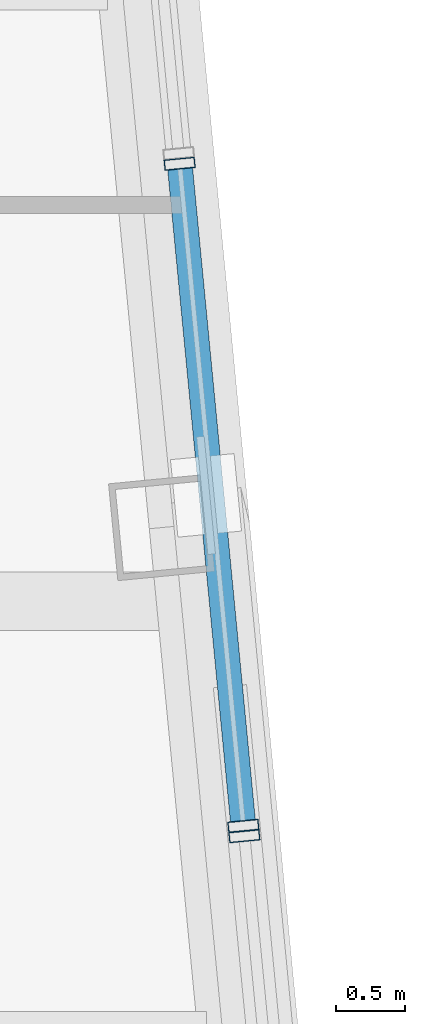
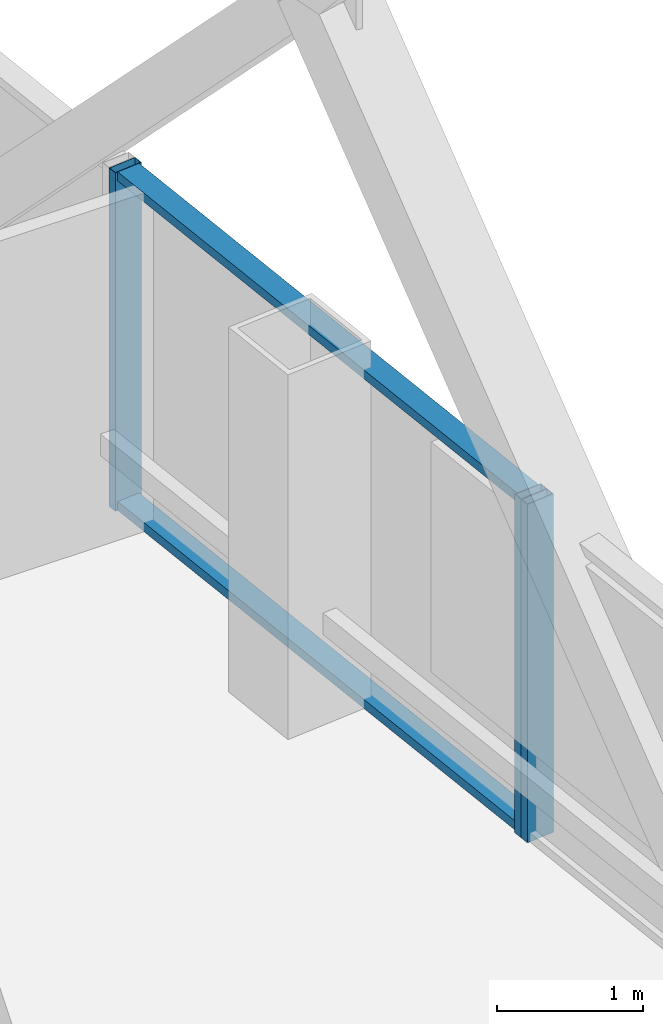
# One storey, part 17 of 34: 5 members, 2 elements without a shape of their own.
"""IFC4 building model written with IfcOpenShell, lengths in metres."""

from ifc_helpers import new_model, si_unit, direction, frame, origin, origin_2d, place, context, subcontext, project, spatial, hollow_rectangle, extrude, material, layer, layer_set, material_profile, profile_set, type_object, element, aggregate, save


model = new_model("IFC4")

# Units and contexts
model_context = context("Model", 3, precision=1e-05, world=origin(), true_north=direction((0.0, 1.0)))
body_context = subcontext(model_context, "Body", "Model", "MODEL_VIEW")
ifc_project = project(units=[si_unit("LENGTHUNIT", "METRE"), si_unit("AREAUNIT", "SQUARE_METRE"), si_unit("VOLUMEUNIT", "CUBIC_METRE"), si_unit("PLANEANGLEUNIT", "RADIAN"), si_unit("MASSUNIT", "GRAM", prefix="KILO")], contexts=[model_context])

# Site, building, storey
site_placement = place(None, origin())
site = spatial("IfcSite", under=ifc_project, at=site_placement, CompositionType="ELEMENT")
building_placement = place(site_placement, origin())
building = spatial("IfcBuilding", under=site, at=building_placement, Name="Qhalaya Broadcast Tower", CompositionType="ELEMENT")
storey_placement = place(building_placement, frame((0.0, 0.0, 168.35009765625)))
storey = spatial("IfcBuildingStorey", under=building, at=storey_placement, Name="L49", CompositionType="ELEMENT", Elevation=168.35009765625)

# Curtain wall, member
ifc_material_1 = material(Name="Fired Architectural Terracotta", Category="masonry")
ifc_layer_1 = layer(ifc_material_1, 0.219970703125, Name="Fired Architectural Terracotta")
ifc_layer_set_1 = layer_set([ifc_layer_1], Name="Fired Architectural Terracotta")
curtain_wall_type_1 = type_object("IfcCurtainWallType", Name="Block-Cap Unitised Terracotta Spandrel Wall CW-07", PredefinedType="NOTDEFINED", material=ifc_layer_set_1)
curtain_wall_1_placement = place(storey_placement, origin())
curtain_wall_1 = element("IfcCurtainWall", 1, at=curtain_wall_1_placement, inside=storey, type_object=curtain_wall_type_1, Name="L49 Unitised Curtain Wall L49-CW-E3", PredefinedType="NOTDEFINED")
ifc_material_2 = material(Name="Anodised Aluminium 6063-T6", Category="aluminium")
ifc_material_profile_1 = material_profile(ifc_material_2, hollow_rectangle(XDim=0.074951171875, YDim=0.219970703125, WallThickness=0.00390625, at=origin_2d()), Name="ALU-MUL 75x220x4")
ifc_profile_set_1 = profile_set([ifc_material_profile_1], Name="Anodised Aluminium 6063-T6")
member_type_1 = type_object("IfcMemberType", Name="Unitised Curtain-Wall Mullion M01", PredefinedType="MULLION", material=ifc_profile_set_1)
member_1_placement = place(storey_placement, frame((17.1328125, 8.2587890625, 0.0), z_axis=(0.0, 0.0, 1.0), x_axis=(-0.095858099514, 0.99539500941, 0.0)))
member_1 = element("IfcMember", 2, at=member_1_placement, type_object=member_type_1, Name="CW-07 mullion 2", PredefinedType="MULLION", context=body_context, shape_type="SweptSolid", body=[
    extrude(hollow_rectangle(XDim=0.074951171875, YDim=0.219970703125, WallThickness=0.00390625, at=origin_2d()), origin(), (0.0, 0.0, 1.0), 2.829833984375),
])
aggregate(curtain_wall_1, [member_1])

# Curtain wall, members
ifc_material_3 = material(Name="Solar-Control Low-E Triple Glazing", Category="glass")
ifc_layer_2 = layer(ifc_material_3, 0.219970703125, Name="Solar-Control Low-E Triple Glazing")
ifc_layer_set_2 = layer_set([ifc_layer_2], Name="Solar-Control Low-E Triple Glazing")
curtain_wall_type_2 = type_object("IfcCurtainWallType", Name="Even-Block 4-Storey Double-Module Curtain Wall CW-03", PredefinedType="NOTDEFINED", material=ifc_layer_set_2)
curtain_wall_2_placement = place(storey_placement, origin())
curtain_wall_2 = element("IfcCurtainWall", 3, at=curtain_wall_2_placement, inside=storey, type_object=curtain_wall_type_2, Name="L49 Unitised Curtain Wall L49-CW-E4", PredefinedType="NOTDEFINED")
member_2_placement = place(storey_placement, frame((17.125732421875, 8.333251953125, 0.0), z_axis=(0.0, 0.0, 1.0), x_axis=(-0.095844898762, 0.995396280574, 0.0)))
member_2 = element("IfcMember", 4, at=member_2_placement, type_object=member_type_1, Name="CW-03 mullion 1", PredefinedType="MULLION", context=body_context, shape_type="SweptSolid", body=[
    extrude(hollow_rectangle(XDim=0.074951171875, YDim=0.219970703125, WallThickness=0.00390625, at=origin_2d()), origin(), (0.0, 0.0, 1.0), 2.829833984375),
])
member_3_placement = place(storey_placement, frame((16.6669921875, 13.09716796875, 0.0), z_axis=(0.0, 0.0, 1.0), x_axis=(-0.095844898762, 0.995396280574, 0.0)))
member_3 = element("IfcMember", 5, at=member_3_placement, type_object=member_type_1, Name="CW-03 mullion 2", PredefinedType="MULLION", context=body_context, shape_type="SweptSolid", body=[
    extrude(hollow_rectangle(XDim=0.074951171875, YDim=0.219970703125, WallThickness=0.00390625, at=origin_2d()), origin(), (0.0, 0.0, 1.0), 2.829833984375),
])
ifc_material_profile_2 = material_profile(ifc_material_2, hollow_rectangle(XDim=0.074951171875, YDim=0.179931640625, WallThickness=0.00390625, at=origin_2d()), Name="ALU-TRN 75x180x4")
ifc_profile_set_2 = profile_set([ifc_material_profile_2], Name="Anodised Aluminium 6063-T6")
member_type_2 = type_object("IfcMemberType", Name="Unitised Curtain-Wall Transom T01", PredefinedType="USERDEFINED", material=ifc_profile_set_2)
member_4_placement = place(storey_placement, frame((17.1220703125, 8.37060546875, 0.037353515625), z_axis=(-0.095819050608, 0.995398769107, 0.0), x_axis=(0.0, 0.0, 1.0)))
member_4 = element("IfcMember", 6, at=member_4_placement, type_object=member_type_2, Name="CW-03 transom 1.1", ObjectType="TRANSOM", PredefinedType="USERDEFINED", context=body_context, shape_type="SweptSolid", body=[
    extrude(hollow_rectangle(XDim=0.074951171875, YDim=0.179931640625, WallThickness=0.00390625, at=origin_2d()), origin(), (0.0, 0.0, 1.0), 4.711181640625),
])
member_5_placement = place(storey_placement, frame((17.1220703125, 8.37060546875, 2.79248046875), z_axis=(-0.095819050608, 0.995398769107, 0.0), x_axis=(0.0, 0.0, 1.0)))
member_5 = element("IfcMember", 7, at=member_5_placement, type_object=member_type_2, Name="CW-03 transom 1.2", ObjectType="TRANSOM", PredefinedType="USERDEFINED", context=body_context, shape_type="SweptSolid", body=[
    extrude(hollow_rectangle(XDim=0.074951171875, YDim=0.179931640625, WallThickness=0.00390625, at=origin_2d()), origin(), (0.0, 0.0, 1.0), 4.711181640625),
])
aggregate(curtain_wall_2, [member_2, member_3, member_4, member_5])

save(model, "model.ifc")
